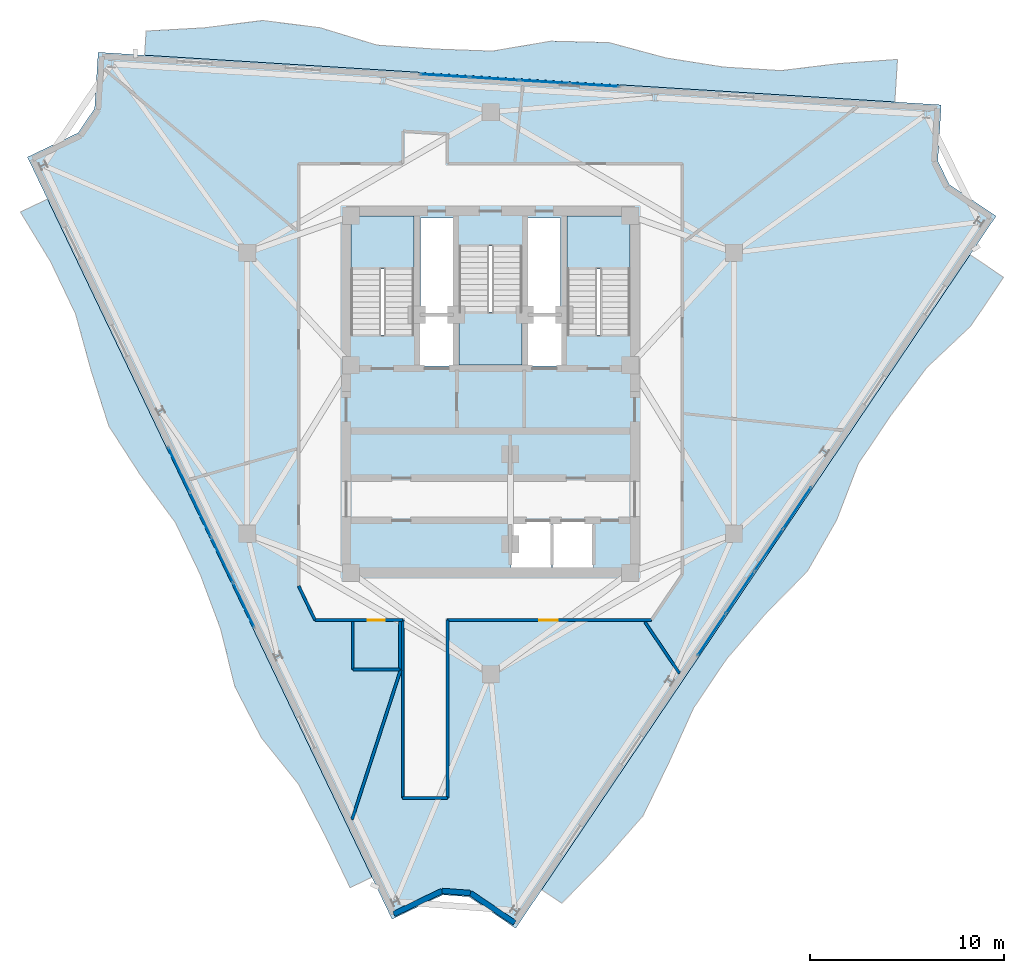
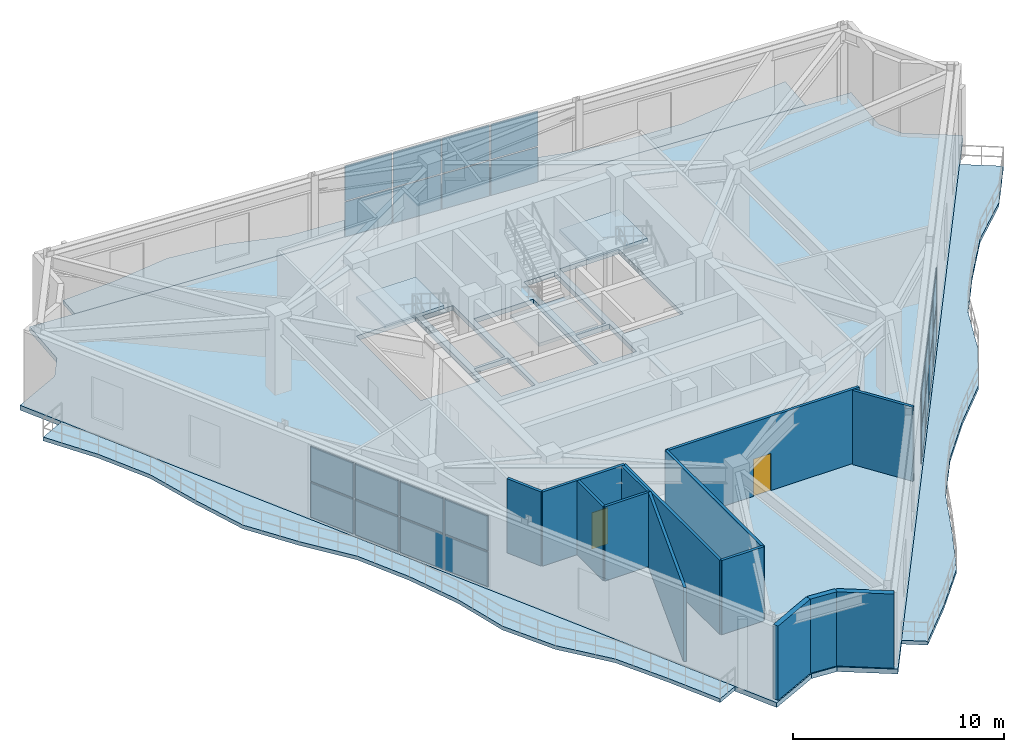
# One storey, part 9 of 15: 24 plates, 14 walls, 7 slabs, 2 doors, 2 openings, 6 elements without a shape of their own.
"""IFC4 building model written with IfcOpenShell, lengths in metres."""

from ifc_helpers import new_model, si_unit, direction, frame, frame_2d, origin, origin_2d, place, context, subcontext, project, spatial, polyline, rectangle, outline, extrude, material, layer, layer_set, type_object, element, fill, aggregate, save


model = new_model("IFC4")

# Units and contexts
model_context = context("Model", 3, precision=1e-05, world=origin(), true_north=direction((0.0, 1.0)))
body_context = subcontext(model_context, "Body", "Model", "MODEL_VIEW")
ifc_project = project(units=[si_unit("LENGTHUNIT", "METRE"), si_unit("AREAUNIT", "SQUARE_METRE"), si_unit("VOLUMEUNIT", "CUBIC_METRE"), si_unit("PLANEANGLEUNIT", "RADIAN"), si_unit("MASSUNIT", "GRAM", prefix="KILO")], contexts=[model_context])

# Site, building, storey
site_placement = place(None, origin())
site = spatial("IfcSite", under=ifc_project, at=site_placement, CompositionType="ELEMENT")
building_placement = place(site_placement, origin())
building = spatial("IfcBuilding", under=site, at=building_placement, Name="Apsidion Concourse Tower", CompositionType="ELEMENT")
storey_placement = place(building_placement, frame((0.0, 0.0, 323.39990234375)))
storey = spatial("IfcBuildingStorey", under=building, at=storey_placement, Name="L76", CompositionType="ELEMENT", Elevation=323.39990234375)

# Curtain wall, plates
ifc_material_1 = material(Name="Insulated laminated low-E glass", Category="glass")
ifc_layer_1 = layer(ifc_material_1, 0.22998046875)
ifc_layer_set_1 = layer_set([ifc_layer_1], Name="Insulated laminated low-E glass")
curtain_wall_type = type_object("IfcCurtainWallType", Name="CW-SYS-05", PredefinedType="NOTDEFINED", material=ifc_layer_set_1)
curtain_wall_1_placement = place(storey_placement, origin())
curtain_wall_1 = element("IfcCurtainWall", 1, at=curtain_wall_1_placement, inside=storey, type_object=curtain_wall_type, Name="L76 Sky Observatory Curtain Wall 1", PredefinedType="NOTDEFINED")
ifc_layer_2 = layer(ifc_material_1, 0.0400390625)
ifc_layer_set_2 = layer_set([ifc_layer_2], Name="Insulated laminated low-E glass")
plate_type = type_object("IfcPlateType", Name="CWP-GLZ-40", PredefinedType="CURTAIN_PANEL", material=ifc_layer_set_2)
plate_1_placement = place(storey_placement, frame((-2.364013671875, 16.383056640625, 0.06494140625), z_axis=(0.0, 0.0, 1.0), x_axis=(0.99806064269, -0.062249124598, 0.0)))
plate_1 = element("IfcPlate", 2, at=plate_1_placement, type_object=plate_type, Name="CW-05 panel 1.1", PredefinedType="CURTAIN_PANEL", context=body_context, shape_type="SweptSolid", body=[
    extrude(rectangle(XDim=2.493408203125, YDim=0.0400390625, at=origin_2d()), origin(), (0.0, 0.0, 1.0), 2.027587890625),
])
plate_2_placement = place(storey_placement, frame((-2.364013671875, 16.383056640625, 2.15771484375), z_axis=(0.0, 0.0, 1.0), x_axis=(0.99806064269, -0.062249124598, 0.0)))
plate_2 = element("IfcPlate", 3, at=plate_2_placement, type_object=plate_type, Name="CW-05 panel 1.2", PredefinedType="CURTAIN_PANEL", context=body_context, shape_type="SweptSolid", body=[
    extrude(rectangle(XDim=2.493408203125, YDim=0.0400390625, at=origin_2d()), origin(), (0.0, 0.0, 1.0), 2.027587890625),
])
plate_3_placement = place(storey_placement, frame((0.20556640625, 16.222900390625, 0.06494140625), z_axis=(0.0, 0.0, 1.0), x_axis=(0.99806064269, -0.062249124598, 0.0)))
plate_3 = element("IfcPlate", 4, at=plate_3_placement, type_object=plate_type, Name="CW-05 panel 2.1", PredefinedType="CURTAIN_PANEL", context=body_context, shape_type="SweptSolid", body=[
    extrude(rectangle(XDim=2.52587890625, YDim=0.0400390625, at=origin_2d()), origin(), (0.0, 0.0, 1.0), 2.027587890625),
])
plate_4_placement = place(storey_placement, frame((0.20556640625, 16.222900390625, 2.15771484375), z_axis=(0.0, 0.0, 1.0), x_axis=(0.99806064269, -0.062249124598, 0.0)))
plate_4 = element("IfcPlate", 5, at=plate_4_placement, type_object=plate_type, Name="CW-05 panel 2.2", PredefinedType="CURTAIN_PANEL", context=body_context, shape_type="SweptSolid", body=[
    extrude(rectangle(XDim=2.52587890625, YDim=0.0400390625, at=origin_2d()), origin(), (0.0, 0.0, 1.0), 2.027587890625),
])
plate_5_placement = place(storey_placement, frame((2.791259765625, 16.0615234375, 0.06494140625), z_axis=(0.0, 0.0, 1.0), x_axis=(0.99806064269, -0.062249124598, 0.0)))
plate_5 = element("IfcPlate", 6, at=plate_5_placement, type_object=plate_type, Name="CW-05 panel 3.1", PredefinedType="CURTAIN_PANEL", context=body_context, shape_type="SweptSolid", body=[
    extrude(rectangle(XDim=2.52587890625, YDim=0.0400390625, at=origin_2d()), origin(), (0.0, 0.0, 1.0), 2.027587890625),
])
plate_6_placement = place(storey_placement, frame((2.791259765625, 16.0615234375, 2.15771484375), z_axis=(0.0, 0.0, 1.0), x_axis=(0.99806064269, -0.062249124598, 0.0)))
plate_6 = element("IfcPlate", 7, at=plate_6_placement, type_object=plate_type, Name="CW-05 panel 3.2", PredefinedType="CURTAIN_PANEL", context=body_context, shape_type="SweptSolid", body=[
    extrude(rectangle(XDim=2.52587890625, YDim=0.0400390625, at=origin_2d()), origin(), (0.0, 0.0, 1.0), 2.027587890625),
])
plate_7_placement = place(storey_placement, frame((5.36083984375, 15.9013671875, 0.06494140625), z_axis=(0.0, 0.0, 1.0), x_axis=(0.99806064269, -0.062249124598, 0.0)))
plate_7 = element("IfcPlate", 8, at=plate_7_placement, type_object=plate_type, Name="CW-05 panel 4.1", PredefinedType="CURTAIN_PANEL", context=body_context, shape_type="SweptSolid", body=[
    extrude(rectangle(XDim=2.493408203125, YDim=0.0400390625, at=origin_2d()), origin(), (0.0, 0.0, 1.0), 2.027587890625),
])
plate_8_placement = place(storey_placement, frame((5.36083984375, 15.9013671875, 2.15771484375), z_axis=(0.0, 0.0, 1.0), x_axis=(0.99806064269, -0.062249124598, 0.0)))
plate_8 = element("IfcPlate", 9, at=plate_8_placement, type_object=plate_type, Name="CW-05 panel 4.2", PredefinedType="CURTAIN_PANEL", context=body_context, shape_type="SweptSolid", body=[
    extrude(rectangle(XDim=2.493408203125, YDim=0.0400390625, at=origin_2d()), origin(), (0.0, 0.0, 1.0), 2.027587890625),
])
aggregate(curtain_wall_1, [plate_1, plate_2, plate_3, plate_4, plate_5, plate_6, plate_7, plate_8])

curtain_wall_2_placement = place(storey_placement, origin())
curtain_wall_2 = element("IfcCurtainWall", 10, at=curtain_wall_2_placement, inside=storey, type_object=curtain_wall_type, Name="L76 Sky Observatory Curtain Wall 5", PredefinedType="NOTDEFINED")
plate_9_placement = place(storey_placement, frame((15.813720703125, -5.9189453125, 0.06494140625), z_axis=(0.0, 0.0, 1.0), x_axis=(-0.559193841437, -0.829036939888, 0.0)))
plate_9 = element("IfcPlate", 11, at=plate_9_placement, type_object=plate_type, Name="CW-05 panel 1.1", PredefinedType="CURTAIN_PANEL", context=body_context, shape_type="SweptSolid", body=[
    extrude(rectangle(XDim=2.537353515625, YDim=0.0400390625, at=origin_2d()), origin(), (0.0, 0.0, 1.0), 2.027587890625),
])
plate_10_placement = place(storey_placement, frame((15.813720703125, -5.9189453125, 2.15771484375), z_axis=(0.0, 0.0, 1.0), x_axis=(-0.559193841437, -0.829036939888, 0.0)))
plate_10 = element("IfcPlate", 12, at=plate_10_placement, type_object=plate_type, Name="CW-05 panel 1.2", PredefinedType="CURTAIN_PANEL", context=body_context, shape_type="SweptSolid", body=[
    extrude(rectangle(XDim=2.537353515625, YDim=0.0400390625, at=origin_2d()), origin(), (0.0, 0.0, 1.0), 2.027587890625),
])
plate_11_placement = place(storey_placement, frame((14.349609375, -8.08984375, 0.06494140625), z_axis=(0.0, 0.0, 1.0), x_axis=(-0.559193841437, -0.829036939888, 0.0)))
plate_11 = element("IfcPlate", 13, at=plate_11_placement, type_object=plate_type, Name="CW-05 panel 2.1", PredefinedType="CURTAIN_PANEL", context=body_context, shape_type="SweptSolid", body=[
    extrude(rectangle(XDim=2.56982421875, YDim=0.0400390625, at=origin_2d()), origin(), (0.0, 0.0, 1.0), 2.027587890625),
])
plate_12_placement = place(storey_placement, frame((14.349609375, -8.08984375, 2.15771484375), z_axis=(0.0, 0.0, 1.0), x_axis=(-0.559193841437, -0.829036939888, 0.0)))
plate_12 = element("IfcPlate", 14, at=plate_12_placement, type_object=plate_type, Name="CW-05 panel 2.2", PredefinedType="CURTAIN_PANEL", context=body_context, shape_type="SweptSolid", body=[
    extrude(rectangle(XDim=2.56982421875, YDim=0.0400390625, at=origin_2d()), origin(), (0.0, 0.0, 1.0), 2.027587890625),
])
plate_13_placement = place(storey_placement, frame((12.876220703125, -10.274169921875, 0.06494140625), z_axis=(0.0, 0.0, 1.0), x_axis=(-0.559193841437, -0.829036939888, 0.0)))
plate_13 = element("IfcPlate", 15, at=plate_13_placement, type_object=plate_type, Name="CW-05 panel 3.1", PredefinedType="CURTAIN_PANEL", context=body_context, shape_type="SweptSolid", body=[
    extrude(rectangle(XDim=2.56982421875, YDim=0.0400390625, at=origin_2d()), origin(), (0.0, 0.0, 1.0), 2.027587890625),
])
plate_14_placement = place(storey_placement, frame((12.876220703125, -10.274169921875, 2.15771484375), z_axis=(0.0, 0.0, 1.0), x_axis=(-0.559193841437, -0.829036939888, 0.0)))
plate_14 = element("IfcPlate", 16, at=plate_14_placement, type_object=plate_type, Name="CW-05 panel 3.2", PredefinedType="CURTAIN_PANEL", context=body_context, shape_type="SweptSolid", body=[
    extrude(rectangle(XDim=2.56982421875, YDim=0.0400390625, at=origin_2d()), origin(), (0.0, 0.0, 1.0), 2.027587890625),
])
plate_15_placement = place(storey_placement, frame((11.411865234375, -12.445068359375, 0.06494140625), z_axis=(0.0, 0.0, 1.0), x_axis=(-0.559193841437, -0.829036939888, 0.0)))
plate_15 = element("IfcPlate", 17, at=plate_15_placement, type_object=plate_type, Name="CW-05 panel 4.1", PredefinedType="CURTAIN_PANEL", context=body_context, shape_type="SweptSolid", body=[
    extrude(rectangle(XDim=2.537353515625, YDim=0.0400390625, at=origin_2d()), origin(), (0.0, 0.0, 1.0), 2.027587890625),
])
plate_16_placement = place(storey_placement, frame((11.411865234375, -12.445068359375, 2.15771484375), z_axis=(0.0, 0.0, 1.0), x_axis=(-0.559193841437, -0.829036939888, 0.0)))
plate_16 = element("IfcPlate", 18, at=plate_16_placement, type_object=plate_type, Name="CW-05 panel 4.2", PredefinedType="CURTAIN_PANEL", context=body_context, shape_type="SweptSolid", body=[
    extrude(rectangle(XDim=2.537353515625, YDim=0.0400390625, at=origin_2d()), origin(), (0.0, 0.0, 1.0), 2.027587890625),
])
aggregate(curtain_wall_2, [plate_9, plate_10, plate_11, plate_12, plate_13, plate_14, plate_15, plate_16])

curtain_wall_3_placement = place(storey_placement, origin())
curtain_wall_3 = element("IfcCurtainWall", 19, at=curtain_wall_3_placement, inside=storey, type_object=curtain_wall_type, Name="L76 Sky Observatory Curtain Wall 9", PredefinedType="NOTDEFINED")
plate_17_placement = place(storey_placement, frame((-12.7353515625, -10.92724609375, 0.06494140625), z_axis=(0.0, 0.0, 1.0), x_axis=(-0.431594801771, 0.902067584544, 0.0)))
plate_17 = element("IfcPlate", 20, at=plate_17_placement, type_object=plate_type, Name="CW-05 panel 1.1", PredefinedType="CURTAIN_PANEL", context=body_context, shape_type="SweptSolid", body=[
    extrude(rectangle(XDim=2.493408203125, YDim=0.0400390625, at=origin_2d()), origin(), (0.0, 0.0, 1.0), 2.027587890625),
])
plate_18_placement = place(storey_placement, frame((-12.7353515625, -10.92724609375, 2.15771484375), z_axis=(0.0, 0.0, 1.0), x_axis=(-0.431594801771, 0.902067584544, 0.0)))
plate_18 = element("IfcPlate", 21, at=plate_18_placement, type_object=plate_type, Name="CW-05 panel 1.2", PredefinedType="CURTAIN_PANEL", context=body_context, shape_type="SweptSolid", body=[
    extrude(rectangle(XDim=2.493408203125, YDim=0.0400390625, at=origin_2d()), origin(), (0.0, 0.0, 1.0), 2.027587890625),
])
plate_19_placement = place(storey_placement, frame((-13.846435546875, -8.60498046875, 0.06494140625), z_axis=(0.0, 0.0, 1.0), x_axis=(-0.431594801771, 0.902067584544, 0.0)))
plate_19 = element("IfcPlate", 22, at=plate_19_placement, type_object=plate_type, Name="CW-05 panel 2.1", PredefinedType="CURTAIN_PANEL", context=body_context, shape_type="SweptSolid", body=[
    extrude(rectangle(XDim=2.52587890625, YDim=0.0400390625, at=origin_2d()), origin(), (0.0, 0.0, 1.0), 2.027587890625),
])
plate_20_placement = place(storey_placement, frame((-13.846435546875, -8.60498046875, 2.15771484375), z_axis=(0.0, 0.0, 1.0), x_axis=(-0.431594801771, 0.902067584544, 0.0)))
plate_20 = element("IfcPlate", 23, at=plate_20_placement, type_object=plate_type, Name="CW-05 panel 2.2", PredefinedType="CURTAIN_PANEL", context=body_context, shape_type="SweptSolid", body=[
    extrude(rectangle(XDim=2.52587890625, YDim=0.0400390625, at=origin_2d()), origin(), (0.0, 0.0, 1.0), 2.027587890625),
])
plate_21_placement = place(storey_placement, frame((-14.964599609375, -6.267822265625, 0.06494140625), z_axis=(0.0, 0.0, 1.0), x_axis=(-0.431594801771, 0.902067584544, 0.0)))
plate_21 = element("IfcPlate", 24, at=plate_21_placement, type_object=plate_type, Name="CW-05 panel 3.1", PredefinedType="CURTAIN_PANEL", context=body_context, shape_type="SweptSolid", body=[
    extrude(rectangle(XDim=2.52587890625, YDim=0.0400390625, at=origin_2d()), origin(), (0.0, 0.0, 1.0), 2.027587890625),
])
plate_22_placement = place(storey_placement, frame((-14.964599609375, -6.267822265625, 2.15771484375), z_axis=(0.0, 0.0, 1.0), x_axis=(-0.431594801771, 0.902067584544, 0.0)))
plate_22 = element("IfcPlate", 25, at=plate_22_placement, type_object=plate_type, Name="CW-05 panel 3.2", PredefinedType="CURTAIN_PANEL", context=body_context, shape_type="SweptSolid", body=[
    extrude(rectangle(XDim=2.52587890625, YDim=0.0400390625, at=origin_2d()), origin(), (0.0, 0.0, 1.0), 2.027587890625),
])
plate_23_placement = place(storey_placement, frame((-16.07568359375, -3.9453125, 0.06494140625), z_axis=(0.0, 0.0, 1.0), x_axis=(-0.431594801771, 0.902067584544, 0.0)))
plate_23 = element("IfcPlate", 26, at=plate_23_placement, type_object=plate_type, Name="CW-05 panel 4.1", PredefinedType="CURTAIN_PANEL", context=body_context, shape_type="SweptSolid", body=[
    extrude(rectangle(XDim=2.493408203125, YDim=0.0400390625, at=origin_2d()), origin(), (0.0, 0.0, 1.0), 2.027587890625),
])
plate_24_placement = place(storey_placement, frame((-16.07568359375, -3.9453125, 2.15771484375), z_axis=(0.0, 0.0, 1.0), x_axis=(-0.431594801771, 0.902067584544, 0.0)))
plate_24 = element("IfcPlate", 27, at=plate_24_placement, type_object=plate_type, Name="CW-05 panel 4.2", PredefinedType="CURTAIN_PANEL", context=body_context, shape_type="SweptSolid", body=[
    extrude(rectangle(XDim=2.493408203125, YDim=0.0400390625, at=origin_2d()), origin(), (0.0, 0.0, 1.0), 2.027587890625),
])
aggregate(curtain_wall_3, [plate_17, plate_18, plate_19, plate_20, plate_21, plate_22, plate_23, plate_24])

# Slabs
ifc_material_2 = material(Name="Concrete C50/60", Category="concrete")
ifc_layer_3 = layer(ifc_material_2, 0.219970703125)
ifc_layer_set_3 = layer_set([ifc_layer_3], Name="Concrete C50/60")
slab_type_1 = type_object("IfcSlabType", Name="SL-BAL-220", PredefinedType="FLOOR", material=ifc_layer_set_3)
slab_1_placement = place(storey_placement, frame((0.0, 0.0, -0.219970703125)))
element("IfcSlab", 28, at=slab_1_placement, inside=storey, type_object=slab_type_1, Name="L76 Face 1 Rippling Balcony Slab", PredefinedType="FLOOR", context=body_context, shape_type="SweptSolid", body=[
    extrude(outline(polyline([(-22.85546875, 10.015869140625), (-21.56787109375, 7.324951171875), (-20.280517578125, 4.634033203125), (-18.992919921875, 1.943115234375), (-17.70556640625, -0.747802734375), (-16.41796875, -3.438720703125), (-15.130615234375, -6.129638671875), (-13.843017578125, -8.820556640625), (-12.555419921875, -11.51171875), (-11.26806640625, -14.202392578125), (-9.980712890625, -16.893310546875), (-8.693115234375, -19.58447265625), (-7.405517578125, -22.275390625), (-6.1181640625, -24.96630859375), (-7.24609375, -25.505859375), (-8.533203125, -22.814697265625), (-9.906982421875, -20.165283203125), (-11.820068359375, -17.7734375), (-13.193603515625, -15.123779296875), (-13.922607421875, -12.16552734375), (-14.970703125, -9.360107421875), (-16.258056640625, -6.669189453125), (-18.058349609375, -4.2236328125), (-19.689697265625, -1.697265625), (-20.604736328125, 1.172119140625), (-21.407958984375, 4.094482421875), (-22.695556640625, 6.785400390625), (-24.253662109375, 9.346923828125), (-22.85546875, 10.015869140625)])), origin(), (0.0, 0.0, 1.0), 0.219970703125),
])
slab_2_placement = place(storey_placement, frame((0.0, 0.0, -0.219970703125)))
element("IfcSlab", 29, at=slab_2_placement, inside=storey, type_object=slab_type_1, Name="L76 Face 2 Rippling Balcony Slab", PredefinedType="FLOOR", context=body_context, shape_type="SweptSolid", body=[
    extrude(outline(polyline([(2.639404296875, -25.61181640625), (4.339111328125, -23.091796875), (6.038818359375, -20.572021484375), (7.73828125, -18.052001953125), (9.43798828125, -15.531982421875), (11.1376953125, -13.01220703125), (12.83740234375, -10.4921875), (14.537353515625, -7.972412109375), (16.237060546875, -5.452392578125), (17.936767578125, -2.9326171875), (19.636474609375, -0.41259765625), (21.336181640625, 2.107421875), (23.035888671875, 4.627197265625), (24.735595703125, 7.147216796875), (26.466796875, 5.9794921875), (24.765869140625, 3.460205078125), (22.502685546875, 1.320556640625), (20.672607421875, -1.111572265625), (18.972900390625, -3.631591796875), (17.852783203125, -6.542236328125), (16.339599609375, -9.18798828125), (14.172607421875, -11.392822265625), (12.174072265625, -13.711181640625), (10.474365234375, -16.231201171875), (9.206298828125, -19.0419921875), (7.8623046875, -21.802001953125), (5.837890625, -24.102783203125), (3.675537109375, -26.310791015625), (2.639404296875, -25.61181640625)])), origin(), (0.0, 0.0, 1.0), 0.219970703125),
])
slab_3_placement = place(storey_placement, frame((0.0, 0.0, -0.219970703125)))
element("IfcSlab", 30, at=slab_3_placement, inside=storey, type_object=slab_type_1, Name="L76 Face 3 Rippling Balcony Slab", PredefinedType="FLOOR", context=body_context, shape_type="SweptSolid", body=[
    extrude(outline(polyline([(20.8564453125, 15.025146484375), (17.879150390625, 15.2109375), (14.90185546875, 15.396484375), (11.924560546875, 15.582275390625), (8.947265625, 15.767822265625), (5.969970703125, 15.95361328125), (2.99267578125, 16.139404296875), (0.015380859375, 16.324951171875), (-2.9619140625, 16.510498046875), (-5.939208984375, 16.6962890625), (-8.91650390625, 16.882080078125), (-11.893798828125, 17.067626953125), (-14.87109375, 17.25341796875), (-17.848388671875, 17.43896484375), (-17.7705078125, 18.6865234375), (-14.771484375, 18.85205078125), (-11.7587890625, 19.23046875), (-8.79345703125, 18.856201171875), (-5.8603515625, 17.959716796875), (-2.884033203125, 17.75830078125), (0.09814453125, 17.65185546875), (3.118896484375, 18.162841796875), (6.103271484375, 18.09130859375), (9.042724609375, 17.297607421875), (12.00244140625, 16.829833984375), (14.979736328125, 16.64404296875), (17.991455078125, 17.010009765625), (20.993408203125, 17.220947265625), (20.8564453125, 15.025146484375)])), origin(), (0.0, 0.0, 1.0), 0.219970703125),
])
ifc_layer_4 = layer(ifc_material_2, 0.280029296875)
ifc_layer_set_4 = layer_set([ifc_layer_4], Name="Concrete C50/60")
slab_type_2 = type_object("IfcSlabType", Name="SL-FLR-280", PredefinedType="FLOOR", material=ifc_layer_set_4)
slab_4_placement = place(storey_placement, frame((0.0, 0.0, -0.27978515625)))
element("IfcSlab", 31, at=slab_4_placement, inside=storey, type_object=slab_type_2, Name="L76 Structural Floor Slab", PredefinedType="FLOOR", context=body_context, shape_type="SweptSolid", body=[
    extrude(outline(polyline([(-20.24365234375, 17.58837890625), (-20.424560546875, 14.688232421875), (-21.27001953125, 13.43505859375), (-23.89111328125, 12.180908203125), (-5.082275390625, -27.131103515625), (-2.461181640625, -25.877197265625), (-1.11181640625, -25.9765625), (1.297119140625, -27.6015625), (26.07763671875, 9.136962890625), (23.668701171875, 10.76171875), (23.07080078125, 11.9755859375), (23.251708984375, 14.875732421875), (-20.24365234375, 17.58837890625)]), holes=[polyline([(-3.949951171875, 3.0), (-3.949951171875, 9.14990234375), (-7.199951171875, 9.14990234375), (-7.199951171875, 3.0), (-3.949951171875, 3.0)]), polyline([(7.199951171875, 3.0), (7.199951171875, 9.14990234375), (3.949951171875, 9.14990234375), (3.949951171875, 3.0), (7.199951171875, 3.0)]), polyline([(-1.625, 7.60009765625), (-1.625, 1.449951171875), (1.625, 1.449951171875), (1.625, 7.60009765625), (-1.625, 7.60009765625)]), polyline([(1.044921875, -9.0), (3.155029296875, -9.0), (3.155029296875, -6.64990234375), (1.044921875, -6.64990234375), (1.044921875, -9.0)]), polyline([(3.195068359375, -9.0), (5.304931640625, -9.0), (5.304931640625, -6.64990234375), (3.195068359375, -6.64990234375), (3.195068359375, -9.0)]), polyline([(-3.7099609375, 1.39990234375), (-1.85009765625, 1.39990234375), (-1.85009765625, 4.0), (-3.7099609375, 4.0), (-3.7099609375, 1.39990234375)]), polyline([(1.85009765625, 1.39990234375), (3.7099609375, 1.39990234375), (3.7099609375, 4.0), (1.85009765625, 4.0), (1.85009765625, 1.39990234375)]), polyline([(-3.6201171875, 4.14990234375), (-1.93994140625, 4.14990234375), (-1.93994140625, 9.050048828125), (-3.6201171875, 9.050048828125), (-3.6201171875, 4.14990234375)]), polyline([(1.93994140625, 4.14990234375), (3.6201171875, 4.14990234375), (3.6201171875, 9.050048828125), (1.93994140625, 9.050048828125), (1.93994140625, 4.14990234375)])]), origin(), (0.0, 0.0, 1.0), 0.27978515625),
])

# Stair, slab
ifc_material_3 = material(Name="Precast concrete C40/50", Category="concrete")
stair_type = type_object("IfcStairType", Name="ST-DL-1550", PredefinedType="HALF_TURN_STAIR", material=ifc_material_3)
stair_1_placement = place(storey_placement, origin())
stair_1 = element("IfcStair", 32, at=stair_1_placement, inside=storey, type_object=stair_type, Name="L76 Protected Core Exit Stair ST1", PredefinedType="HALF_TURN_STAIR")
ifc_layer_5 = layer(ifc_material_2, 0.199951171875)
ifc_layer_set_5 = layer_set([ifc_layer_5], Name="Concrete C50/60")
slab_type_3 = type_object("IfcSlabType", Name="SL-ST-LAND-200", PredefinedType="LANDING", material=ifc_layer_set_5)
slab_5_placement = place(storey_placement, frame((0.0, 0.0, 2.10009765625)))
slab_5 = element("IfcSlab", 33, at=slab_5_placement, type_object=slab_type_3, Name="ST1 landing 1", PredefinedType="LANDING", context=body_context, shape_type="SweptSolid", body=[
    extrude(outline(polyline([(-3.949951171875, 6.419921875), (-3.949951171875, 9.14990234375), (-7.199951171875, 9.14990234375), (-7.199951171875, 6.419921875), (-3.949951171875, 6.419921875)])), origin(), (0.0, 0.0, 1.0), 0.199951171875),
])
aggregate(stair_1, [slab_5])

stair_2_placement = place(storey_placement, origin())
stair_2 = element("IfcStair", 34, at=stair_2_placement, inside=storey, type_object=stair_type, Name="L76 Protected Core Exit Stair ST2", PredefinedType="HALF_TURN_STAIR")
slab_6_placement = place(storey_placement, frame((0.0, 0.0, 2.10009765625)))
slab_6 = element("IfcSlab", 35, at=slab_6_placement, type_object=slab_type_3, Name="ST2 landing 1", PredefinedType="LANDING", context=body_context, shape_type="SweptSolid", body=[
    extrude(outline(polyline([(7.199951171875, 6.419921875), (7.199951171875, 9.14990234375), (3.949951171875, 9.14990234375), (3.949951171875, 6.419921875), (7.199951171875, 6.419921875)])), origin(), (0.0, 0.0, 1.0), 0.199951171875),
])
aggregate(stair_2, [slab_6])

stair_3_placement = place(storey_placement, origin())
stair_3 = element("IfcStair", 36, at=stair_3_placement, inside=storey, type_object=stair_type, Name="L76 Protected Core Exit Stair ST3", PredefinedType="HALF_TURN_STAIR")
slab_7_placement = place(storey_placement, frame((0.0, 0.0, 2.10009765625)))
slab_7 = element("IfcSlab", 37, at=slab_7_placement, type_object=slab_type_3, Name="ST3 landing 1", PredefinedType="LANDING", context=body_context, shape_type="SweptSolid", body=[
    extrude(outline(polyline([(-1.625, 4.179931640625), (-1.625, 1.449951171875), (1.625, 1.449951171875), (1.625, 4.179931640625), (-1.625, 4.179931640625)])), origin(), (0.0, 0.0, 1.0), 0.199951171875),
])
aggregate(stair_3, [slab_7])

# Walls
ifc_layer_6 = layer(ifc_material_3, 0.280029296875)
ifc_layer_set_6 = layer_set([ifc_layer_6], Name="Precast concrete C40/50")
wall_type_1 = type_object("IfcWallType", Name="WL-EXT-280", PredefinedType="STANDARD", material=ifc_layer_set_6)
wall_1_placement = place(storey_placement, frame((1.2431640625, -27.323974609375, 0.0), z_axis=(0.0, 0.0, 1.0), x_axis=(-0.829015842911, 0.559225117643, 0.0)))
element("IfcWall", 38, at=wall_1_placement, inside=storey, type_object=wall_type_1, Name="L76 Precast Stone Facade Wall 06", PredefinedType="STANDARD", context=body_context, shape_type="SweptSolid", body=[
    extrude(rectangle(XDim=2.759033203125, YDim=0.280029296875, at=frame_2d((1.37939453125, 0.0))), origin(), (0.0, 0.0, 1.0), 4.300048828125),
])
wall_2_placement = place(storey_placement, frame((-1.044189453125, -25.781005859375, 0.0), z_axis=(0.0, 0.0, 1.0), x_axis=(-0.997286893261, 0.073612855735, 0.0)))
element("IfcWall", 39, at=wall_2_placement, inside=storey, type_object=wall_type_1, Name="L76 Precast Stone Facade Wall 07", PredefinedType="STANDARD", context=body_context, shape_type="SweptSolid", body=[
    extrude(rectangle(XDim=1.459228515625, YDim=0.280029296875, at=frame_2d((0.7294921875, 0.0))), origin(), (0.0, 0.0, 1.0), 4.300048828125),
])
wall_3_placement = place(storey_placement, frame((-2.49951171875, -25.673583984375, 0.0), z_axis=(0.0, 0.0, 1.0), x_axis=(-0.902044352952, -0.431643354296, 0.0)))
element("IfcWall", 40, at=wall_3_placement, inside=storey, type_object=wall_type_1, Name="L76 Precast Stone Facade Wall 08", PredefinedType="STANDARD", context=body_context, shape_type="SweptSolid", body=[
    extrude(rectangle(XDim=2.759033203125, YDim=0.280029296875, at=frame_2d((1.37939453125, 0.0))), origin(), (0.0, 0.0, 1.0), 4.300048828125),
])
ifc_material_4 = material(Name="Gypsum plasterboard partition")
ifc_layer_7 = layer(ifc_material_4, 0.139892578125)
ifc_layer_set_7 = layer_set([ifc_layer_7], Name="Gypsum plasterboard partition")
wall_type_2 = type_object("IfcWallType", Name="WL-INT-PAR-140", PredefinedType="PARTITIONING", material=ifc_layer_set_7)
wall_4_placement = place(storey_placement, frame((-4.66796875, -11.780029296875, 0.0), z_axis=(0.0, 0.0, 1.0), x_axis=(0.0, -1.0, 0.0)))
element("IfcWall", 41, at=wall_4_placement, inside=storey, type_object=wall_type_2, Name="L76 Interior Partition WL-L76-CPOD-OBA0-W1", PredefinedType="PARTITIONING", context=body_context, shape_type="SweptSolid", body=[
    extrude(rectangle(XDim=2.469970703125, YDim=0.139892578125, at=frame_2d((1.23486328125, 0.0))), origin(), (0.0, 0.0, 1.0), 4.300048828125),
])
wall_5_placement = place(storey_placement, frame((-4.66796875, -14.25, 0.0), z_axis=(0.0, 0.0, 1.0), x_axis=(-1.0, 0.0, 0.0)))
element("IfcWall", 42, at=wall_5_placement, inside=storey, type_object=wall_type_2, Name="L76 Interior Partition WL-L76-CPOD-OBA0-W2", PredefinedType="PARTITIONING", context=body_context, shape_type="SweptSolid", body=[
    extrude(rectangle(XDim=2.43994140625, YDim=0.139892578125, at=frame_2d((1.219970703125, 0.0))), origin(), (0.0, 0.0, 1.0), 4.300048828125),
])
wall_6_placement = place(storey_placement, frame((-7.10791015625, -14.25, 0.0), z_axis=(0.0, 0.0, 1.0), x_axis=(0.0, 1.0, 0.0)))
element("IfcWall", 43, at=wall_6_placement, inside=storey, type_object=wall_type_2, Name="L76 Interior Partition WL-L76-CPOD-OBA0-W3", PredefinedType="PARTITIONING", context=body_context, shape_type="SweptSolid", body=[
    extrude(rectangle(XDim=2.469970703125, YDim=0.139892578125, at=frame_2d((1.23486328125, 0.0))), origin(), (0.0, 0.0, 1.0), 4.300048828125),
])

# Wall, opening, door
ifc_layer_8 = layer(ifc_material_4, 0.14990234375)
ifc_layer_set_8 = layer_set([ifc_layer_8], Name="Gypsum plasterboard partition")
wall_type_3 = type_object("IfcWallType", Name="WL-INT-PAR-150", PredefinedType="PARTITIONING", material=ifc_layer_set_8)
wall_7_placement = place(storey_placement, frame((-4.530029296875, -11.699951171875, 0.0), z_axis=(0.0, 0.0, 1.0), x_axis=(-1.0, 0.0, 0.0)))
wall_7 = element("IfcWall", 44, at=wall_7_placement, inside=storey, type_object=wall_type_3, Name="L76 Interior Partition WL-L76-CORR-01", PredefinedType="PARTITIONING", context=body_context, shape_type="SweptSolid", body=[
    extrude(rectangle(XDim=4.5263671875, YDim=0.14990234375, at=frame_2d((2.26318359375, 0.0))), origin(), (0.0, 0.0, 1.0), 4.300048828125),
])
opening_1_placement = place(wall_7_placement, frame((0.91796875, 0.0, 0.0)))
opening_1 = element("IfcOpeningElement", 45, at=opening_1_placement, cuts=wall_7, Name="Opening D-03R", PredefinedType="OPENING", context=body_context, shape_type="SweptSolid", body=[
    extrude(rectangle(XDim=0.8798828125, YDim=2.10009765625, at=frame_2d((0.43994140625, 1.050048828125))), frame((0.0, 0.0849609375, 0.0), z_axis=(0.0, -1.0, 0.0), x_axis=(1.0, 0.0, 0.0)), (0.0, 0.0, 1.0), 0.169921875),
])
ifc_material_5 = material(Name="Anodised aluminium EN AW-6063 T6", Category="aluminium")
door_type_1 = type_object("IfcDoorType", Name="DR-INT-D03R", OperationType="SINGLE_SWING_RIGHT", PredefinedType="DOOR", material=ifc_material_5)
door_1_placement = place(opening_1_placement, origin())
door_1 = element("IfcDoor", 46, at=door_1_placement, inside=storey, type_object=door_type_1, Name="L76 Observatory Accessible WC Door", OperationType="SINGLE_SWING_RIGHT", OverallHeight=2.10009765625, OverallWidth=0.8798828125, PredefinedType="DOOR", context=body_context, shape_type="SweptSolid", body=[
    extrude(rectangle(XDim=0.8798828125, YDim=2.10009765625, at=frame_2d((0.43994140625, 1.050048828125))), frame((0.0, 0.02490234375, 0.0), z_axis=(0.0, -1.0, 0.0), x_axis=(1.0, 0.0, 0.0)), (0.0, 0.0, 1.0), 0.050048828125),
])
fill(opening_1, door_1)

# Wall
wall_8_placement = place(storey_placement, frame((-9.056396484375, -11.699951171875, 0.0), z_axis=(0.0, 0.0, 1.0), x_axis=(-0.431605782187, 0.902062330875, 0.0)))
element("IfcWall", 47, at=wall_8_placement, inside=storey, type_object=wall_type_3, Name="L76 Interior Partition WL-L76-CORR-02", PredefinedType="PARTITIONING", context=body_context, shape_type="SweptSolid", body=[
    extrude(rectangle(XDim=1.954345703125, YDim=0.14990234375, at=frame_2d((0.97705078125, 0.0))), origin(), (0.0, 0.0, 1.0), 4.300048828125),
])

# Wall, opening, door
wall_9_placement = place(storey_placement, frame((8.313720703125, -11.699951171875, 0.0), z_axis=(0.0, 0.0, 1.0), x_axis=(-1.0, 0.0, 0.0)))
wall_9 = element("IfcWall", 48, at=wall_9_placement, inside=storey, type_object=wall_type_3, Name="L76 Interior Partition WL-L76-CORR-11", PredefinedType="PARTITIONING", context=body_context, shape_type="SweptSolid", body=[
    extrude(rectangle(XDim=10.53369140625, YDim=0.14990234375, at=frame_2d((5.266845703125, 0.0))), origin(), (0.0, 0.0, 1.0), 4.300048828125),
])
opening_2_placement = place(wall_9_placement, frame((4.843505859375, 0.0, 0.0)))
opening_2 = element("IfcOpeningElement", 49, at=opening_2_placement, cuts=wall_9, Name="Opening D-01R", PredefinedType="OPENING", context=body_context, shape_type="SweptSolid", body=[
    extrude(rectangle(XDim=0.949951171875, YDim=2.14990234375, at=frame_2d((0.47509765625, 1.074951171875))), frame((0.0, 0.0849609375, 0.0), z_axis=(0.0, -1.0, 0.0), x_axis=(1.0, 0.0, 0.0)), (0.0, 0.0, 1.0), 0.169921875),
])
ifc_material_6 = material(Name="Brushed stainless steel 316", Category="steel")
door_type_2 = type_object("IfcDoorType", Name="DR-INT-D01R", OperationType="SINGLE_SWING_RIGHT", PredefinedType="DOOR", material=ifc_material_6)
door_2_placement = place(opening_2_placement, origin())
door_2 = element("IfcDoor", 50, at=door_2_placement, inside=storey, type_object=door_type_2, Name="L76 Corridor Entry Door 02", OperationType="SINGLE_SWING_RIGHT", OverallHeight=2.14990234375, OverallWidth=0.949951171875, PredefinedType="DOOR", context=body_context, shape_type="SweptSolid", body=[
    extrude(rectangle(XDim=0.949951171875, YDim=2.14990234375, at=frame_2d((0.47509765625, 1.074951171875))), frame((0.0, 0.02490234375, 0.0), z_axis=(0.0, -1.0, 0.0), x_axis=(1.0, 0.0, 0.0)), (0.0, 0.0, 1.0), 0.050048828125),
])
fill(opening_2, door_2)

# Walls
wall_10_placement = place(storey_placement, frame((-2.219970703125, -11.699951171875, 0.0), z_axis=(0.0, 0.0, 1.0), x_axis=(0.0, -1.0, 0.0)))
element("IfcWall", 51, at=wall_10_placement, inside=storey, type_object=wall_type_3, Name="L76 Interior Partition WL-L76-CORR-12", PredefinedType="PARTITIONING", context=body_context, shape_type="SweptSolid", body=[
    extrude(rectangle(XDim=9.179931640625, YDim=0.14990234375, at=frame_2d((4.58984375, 0.0))), origin(), (0.0, 0.0, 1.0), 4.300048828125),
])
wall_11_placement = place(storey_placement, frame((-2.219970703125, -20.8798828125, 0.0), z_axis=(0.0, 0.0, 1.0), x_axis=(-1.0, 0.0, 0.0)))
element("IfcWall", 52, at=wall_11_placement, inside=storey, type_object=wall_type_3, Name="L76 Interior Partition WL-L76-CORR-13", PredefinedType="PARTITIONING", context=body_context, shape_type="SweptSolid", body=[
    extrude(rectangle(XDim=2.31005859375, YDim=0.14990234375, at=frame_2d((1.155029296875, 0.0))), origin(), (0.0, 0.0, 1.0), 4.300048828125),
])
wall_12_placement = place(storey_placement, frame((-4.530029296875, -20.8798828125, 0.0), z_axis=(0.0, 0.0, 1.0), x_axis=(0.0, 1.0, 0.0)))
element("IfcWall", 53, at=wall_12_placement, inside=storey, type_object=wall_type_3, Name="L76 Interior Partition WL-L76-CORR-14", PredefinedType="PARTITIONING", context=body_context, shape_type="SweptSolid", body=[
    extrude(rectangle(XDim=9.179931640625, YDim=0.14990234375, at=frame_2d((4.58984375, 0.0))), origin(), (0.0, 0.0, 1.0), 4.300048828125),
])
wall_13_placement = place(storey_placement, frame((-4.635009765625, -14.26513671875, 0.0), z_axis=(0.0, 0.0, 1.0), x_axis=(-0.309026975608, -0.951053273138, 0.0)))
element("IfcWall", 54, at=wall_13_placement, inside=storey, type_object=wall_type_3, Name="L76 Interior Partition WL-L76-RAD-04-1", PredefinedType="PARTITIONING", context=body_context, shape_type="SweptSolid", body=[
    extrude(rectangle(XDim=8.126953125, YDim=0.14990234375, at=frame_2d((4.0634765625, 0.0))), origin(), (0.0, 0.0, 1.0), 4.300048828125),
])
wall_14_placement = place(storey_placement, frame((7.962646484375, -11.804931640625, 0.0), z_axis=(0.0, 0.0, 1.0), x_axis=(0.559168631431, -0.829053943736, 0.0)))
element("IfcWall", 55, at=wall_14_placement, inside=storey, type_object=wall_type_3, Name="L76 Interior Partition WL-L76-RAD-05-1", PredefinedType="PARTITIONING", context=body_context, shape_type="SweptSolid", body=[
    extrude(rectangle(XDim=3.184326171875, YDim=0.14990234375, at=frame_2d((1.59228515625, 0.0))), origin(), (0.0, 0.0, 1.0), 4.300048828125),
])

save(model, "model.ifc")
